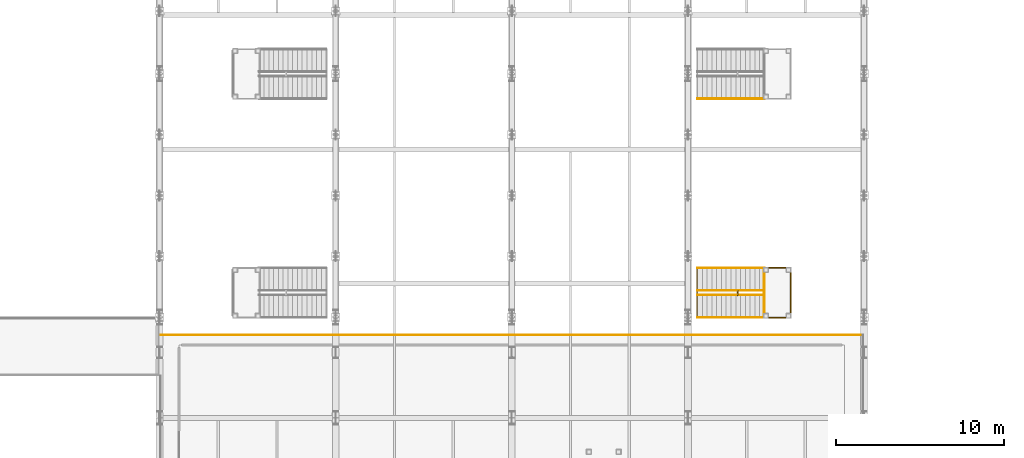
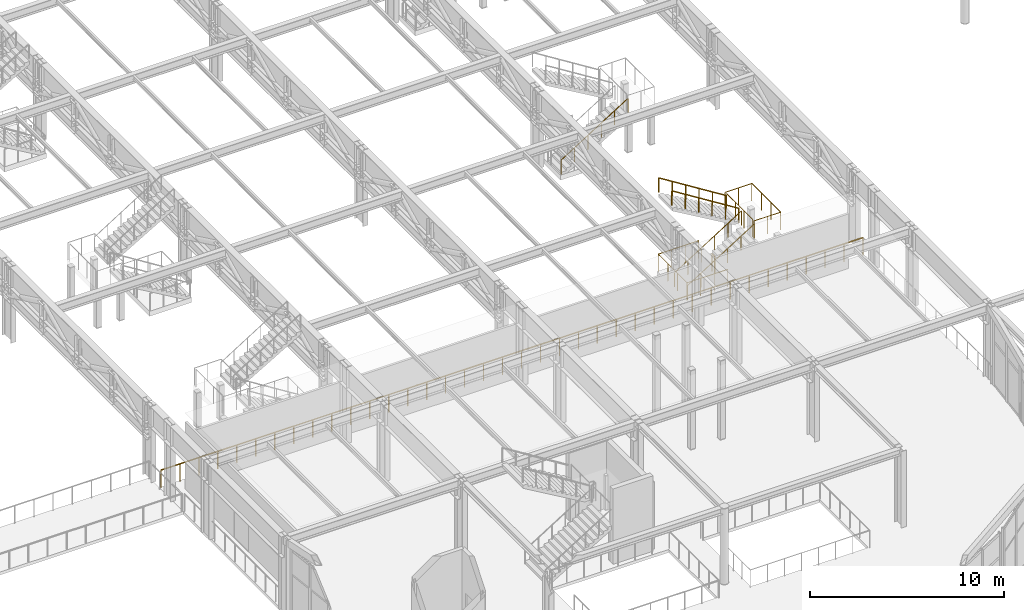
# One storey, part 123 of 143: 10 railings.
"""IFC4 building model written with IfcOpenShell, lengths in metres."""

from ifc_helpers import new_model, si_unit, direction, frame, origin, origin_2d, place, context, subcontext, project, spatial, circle, extrude, material, type_object, element, save


model = new_model("IFC4")

# Units and contexts
model_context = context("Model", 3, precision=1e-05, world=origin(), true_north=direction((0.0, 1.0)))
body_context = subcontext(model_context, "Body", "Model", "MODEL_VIEW")
ifc_project = project(units=[si_unit("LENGTHUNIT", "METRE"), si_unit("AREAUNIT", "SQUARE_METRE"), si_unit("VOLUMEUNIT", "CUBIC_METRE"), si_unit("PLANEANGLEUNIT", "RADIAN"), si_unit("MASSUNIT", "GRAM", prefix="KILO")], contexts=[model_context])

# Site, building, storey
site_placement = place(None, origin())
site = spatial("IfcSite", under=ifc_project, at=site_placement, CompositionType="ELEMENT")
building_placement = place(site_placement, origin())
building = spatial("IfcBuilding", under=site, at=building_placement, Name="Marlcrest Central Station", CompositionType="ELEMENT")
storey_placement = place(building_placement, frame((0.0, 0.0, 4.800048828125)))
storey = spatial("IfcBuildingStorey", under=building, at=storey_placement, Name="L01", CompositionType="ELEMENT", Elevation=4.800048828125)

# Railings
ifc_material_1 = material(Name="Stainless steel and laminated glass concourse balustrade", Category="steel")
railing_type_1 = type_object("IfcRailingType", Name="GR-02", PredefinedType="BALUSTRADE", material=ifc_material_1)
railing_1_placement = place(storey_placement, frame((121.4599609375, 36.4599609375, 0.0)))
element("IfcRailing", 1, at=railing_1_placement, inside=storey, type_object=railing_type_1, Name="hr-L01-00018", PredefinedType="BALUSTRADE", context=body_context, shape_type="SweptSolid", body=[
    extrude(circle(Radius=0.02392578125, at=origin_2d()), frame((0.0, 0.0, 1.09619140625), z_axis=(-1.0, 0.0, 0.0), x_axis=(0.0, -1.0, 0.0)), (0.0, 0.0, 1.0), 2.419921875),
    extrude(circle(Radius=0.02392578125, at=origin_2d()), frame((-2.419921875, 0.0, 1.09619140625), z_axis=(0.0, 1.0, 0.0), x_axis=(-1.0, 0.0, 0.0)), (0.0, 0.0, 1.0), 2.97998046875),
    extrude(circle(Radius=0.02392578125, at=origin_2d()), frame((-2.419921875, 2.97998046875, 1.09619140625), z_axis=(1.0, 0.0, 0.0), x_axis=(0.0, 1.0, 0.0)), (0.0, 0.0, 1.0), 2.419921875),
    extrude(circle(Radius=0.02099609375, at=origin_2d()), origin(), (0.0, 0.0, 1.0), 1.072021484375),
    extrude(circle(Radius=0.02099609375, at=origin_2d()), frame((-0.806640625, 0.0, 0.0)), (0.0, 0.0, 1.0), 1.072021484375),
    extrude(circle(Radius=0.02099609375, at=origin_2d()), frame((-1.61328125, 0.0, 0.0)), (0.0, 0.0, 1.0), 1.072021484375),
    extrude(circle(Radius=0.02099609375, at=origin_2d()), frame((-2.419921875, 0.0, 0.0)), (0.0, 0.0, 1.0), 1.072021484375),
    extrude(circle(Radius=0.02099609375, at=origin_2d()), frame((-2.419921875, 0.993408203125, 0.0)), (0.0, 0.0, 1.0), 1.072021484375),
    extrude(circle(Radius=0.02099609375, at=origin_2d()), frame((-2.419921875, 1.986572265625, 0.0)), (0.0, 0.0, 1.0), 1.072021484375),
    extrude(circle(Radius=0.02099609375, at=origin_2d()), frame((-2.419921875, 2.97998046875, 0.0)), (0.0, 0.0, 1.0), 1.072021484375),
    extrude(circle(Radius=0.02099609375, at=origin_2d()), frame((-1.61328125, 2.97998046875, 0.0)), (0.0, 0.0, 1.0), 1.072021484375),
    extrude(circle(Radius=0.02099609375, at=origin_2d()), frame((-0.806640625, 2.97998046875, 0.0)), (0.0, 0.0, 1.0), 1.072021484375),
    extrude(circle(Radius=0.02099609375, at=origin_2d()), frame((0.0, 2.97998046875, 0.0)), (0.0, 0.0, 1.0), 1.072021484375),
])
railing_2_placement = place(storey_placement, frame((121.4599609375, 37.81005859375, 0.0)))
element("IfcRailing", 2, at=railing_2_placement, inside=storey, type_object=railing_type_1, Name="hr-L01-00019", PredefinedType="BALUSTRADE", context=body_context, shape_type="SweptSolid", body=[
    extrude(circle(Radius=0.02392578125, at=origin_2d()), frame((0.0, 0.0, 1.09619140625), z_axis=(0.0, 1.0, 0.0), x_axis=(-1.0, 0.0, 0.0)), (0.0, 0.0, 1.0), 0.280029296875),
    extrude(circle(Radius=0.02099609375, at=origin_2d()), origin(), (0.0, 0.0, 1.0), 1.072021484375),
    extrude(circle(Radius=0.02099609375, at=origin_2d()), frame((0.0, 0.280029296875, 0.0)), (0.0, 0.0, 1.0), 1.072021484375),
])
railing_3_placement = place(storey_placement, frame((123.02001953125, 36.4599609375, 2.5)))
element("IfcRailing", 3, at=railing_3_placement, inside=storey, type_object=railing_type_1, Name="hr-L01-00033", PredefinedType="BALUSTRADE", context=body_context, shape_type="SweptSolid", body=[
    extrude(circle(Radius=0.02392578125, at=origin_2d()), frame((0.0, 0.0, 1.09619140625), z_axis=(1.0, 0.0, 0.0), x_axis=(0.0, 1.0, 0.0)), (0.0, 0.0, 1.0), 1.60009765625),
    extrude(circle(Radius=0.02392578125, at=origin_2d()), frame((1.60009765625, 0.0, 1.09619140625), z_axis=(0.0, 1.0, 0.0), x_axis=(-1.0, 0.0, 0.0)), (0.0, 0.0, 1.0), 2.97998046875),
    extrude(circle(Radius=0.02392578125, at=origin_2d()), frame((1.60009765625, 2.97998046875, 1.09619140625), z_axis=(-1.0, 0.0, 0.0), x_axis=(0.0, -1.0, 0.0)), (0.0, 0.0, 1.0), 1.60009765625),
    extrude(circle(Radius=0.02099609375, at=origin_2d()), origin(), (0.0, 0.0, 1.0), 1.072021484375),
    extrude(circle(Radius=0.02099609375, at=origin_2d()), frame((0.800048828125, 0.0, 0.0)), (0.0, 0.0, 1.0), 1.072021484375),
    extrude(circle(Radius=0.02099609375, at=origin_2d()), frame((1.60009765625, 0.0, 0.0)), (0.0, 0.0, 1.0), 1.072021484375),
    extrude(circle(Radius=0.02099609375, at=origin_2d()), frame((1.60009765625, 0.993408203125, 0.0)), (0.0, 0.0, 1.0), 1.072021484375),
    extrude(circle(Radius=0.02099609375, at=origin_2d()), frame((1.60009765625, 1.986572265625, 0.0)), (0.0, 0.0, 1.0), 1.072021484375),
    extrude(circle(Radius=0.02099609375, at=origin_2d()), frame((1.60009765625, 2.97998046875, 0.0)), (0.0, 0.0, 1.0), 1.072021484375),
    extrude(circle(Radius=0.02099609375, at=origin_2d()), frame((0.800048828125, 2.97998046875, 0.0)), (0.0, 0.0, 1.0), 1.072021484375),
    extrude(circle(Radius=0.02099609375, at=origin_2d()), frame((0.0, 2.97998046875, 0.0)), (0.0, 0.0, 1.0), 1.072021484375),
])
railing_4_placement = place(storey_placement, frame((87.080078125, 35.43994140625, 0.0)))
element("IfcRailing", 4, at=railing_4_placement, inside=storey, type_object=railing_type_1, Name="hr-L01-00421", PredefinedType="BALUSTRADE", context=body_context, shape_type="SweptSolid", body=[
    extrude(circle(Radius=0.02392578125, at=origin_2d()), frame((0.0, 0.0, 1.09619140625), z_axis=(1.0, 0.0, 0.0), x_axis=(0.0, 1.0, 0.0)), (0.0, 0.0, 1.0), 41.85986328125),
    extrude(circle(Radius=0.02099609375, at=origin_2d()), origin(), (0.0, 0.0, 1.0), 1.072021484375),
    extrude(circle(Radius=0.02099609375, at=origin_2d()), frame((1.13134765625, 0.0, 0.0)), (0.0, 0.0, 1.0), 1.072021484375),
    extrude(circle(Radius=0.02099609375, at=origin_2d()), frame((2.2626953125, 0.0, 0.0)), (0.0, 0.0, 1.0), 1.072021484375),
    extrude(circle(Radius=0.02099609375, at=origin_2d()), frame((3.39404296875, 0.0, 0.0)), (0.0, 0.0, 1.0), 1.072021484375),
    extrude(circle(Radius=0.02099609375, at=origin_2d()), frame((4.525390625, 0.0, 0.0)), (0.0, 0.0, 1.0), 1.072021484375),
    extrude(circle(Radius=0.02099609375, at=origin_2d()), frame((5.65673828125, 0.0, 0.0)), (0.0, 0.0, 1.0), 1.072021484375),
    extrude(circle(Radius=0.02099609375, at=origin_2d()), frame((6.7880859375, 0.0, 0.0)), (0.0, 0.0, 1.0), 1.072021484375),
    extrude(circle(Radius=0.02099609375, at=origin_2d()), frame((7.91943359375, 0.0, 0.0)), (0.0, 0.0, 1.0), 1.072021484375),
    extrude(circle(Radius=0.02099609375, at=origin_2d()), frame((9.05078125, 0.0, 0.0)), (0.0, 0.0, 1.0), 1.072021484375),
    extrude(circle(Radius=0.02099609375, at=origin_2d()), frame((10.18212890625, 0.0, 0.0)), (0.0, 0.0, 1.0), 1.072021484375),
    extrude(circle(Radius=0.02099609375, at=origin_2d()), frame((11.3134765625, 0.0, 0.0)), (0.0, 0.0, 1.0), 1.072021484375),
    extrude(circle(Radius=0.02099609375, at=origin_2d()), frame((12.44482421875, 0.0, 0.0)), (0.0, 0.0, 1.0), 1.072021484375),
    extrude(circle(Radius=0.02099609375, at=origin_2d()), frame((13.576171875, 0.0, 0.0)), (0.0, 0.0, 1.0), 1.072021484375),
    extrude(circle(Radius=0.02099609375, at=origin_2d()), frame((14.70751953125, 0.0, 0.0)), (0.0, 0.0, 1.0), 1.072021484375),
    extrude(circle(Radius=0.02099609375, at=origin_2d()), frame((15.8388671875, 0.0, 0.0)), (0.0, 0.0, 1.0), 1.072021484375),
    extrude(circle(Radius=0.02099609375, at=origin_2d()), frame((16.97021484375, 0.0, 0.0)), (0.0, 0.0, 1.0), 1.072021484375),
    extrude(circle(Radius=0.02099609375, at=origin_2d()), frame((18.1015625, 0.0, 0.0)), (0.0, 0.0, 1.0), 1.072021484375),
    extrude(circle(Radius=0.02099609375, at=origin_2d()), frame((19.23291015625, 0.0, 0.0)), (0.0, 0.0, 1.0), 1.072021484375),
    extrude(circle(Radius=0.02099609375, at=origin_2d()), frame((20.3642578125, 0.0, 0.0)), (0.0, 0.0, 1.0), 1.072021484375),
    extrude(circle(Radius=0.02099609375, at=origin_2d()), frame((21.49560546875, 0.0, 0.0)), (0.0, 0.0, 1.0), 1.072021484375),
    extrude(circle(Radius=0.02099609375, at=origin_2d()), frame((22.626953125, 0.0, 0.0)), (0.0, 0.0, 1.0), 1.072021484375),
    extrude(circle(Radius=0.02099609375, at=origin_2d()), frame((23.75830078125, 0.0, 0.0)), (0.0, 0.0, 1.0), 1.072021484375),
    extrude(circle(Radius=0.02099609375, at=origin_2d()), frame((24.8896484375, 0.0, 0.0)), (0.0, 0.0, 1.0), 1.072021484375),
    extrude(circle(Radius=0.02099609375, at=origin_2d()), frame((26.02099609375, 0.0, 0.0)), (0.0, 0.0, 1.0), 1.072021484375),
    extrude(circle(Radius=0.02099609375, at=origin_2d()), frame((27.15234375, 0.0, 0.0)), (0.0, 0.0, 1.0), 1.072021484375),
    extrude(circle(Radius=0.02099609375, at=origin_2d()), frame((28.28369140625, 0.0, 0.0)), (0.0, 0.0, 1.0), 1.072021484375),
    extrude(circle(Radius=0.02099609375, at=origin_2d()), frame((29.4150390625, 0.0, 0.0)), (0.0, 0.0, 1.0), 1.072021484375),
    extrude(circle(Radius=0.02099609375, at=origin_2d()), frame((30.54638671875, 0.0, 0.0)), (0.0, 0.0, 1.0), 1.072021484375),
    extrude(circle(Radius=0.02099609375, at=origin_2d()), frame((31.677734375, 0.0, 0.0)), (0.0, 0.0, 1.0), 1.072021484375),
    extrude(circle(Radius=0.02099609375, at=origin_2d()), frame((32.80908203125, 0.0, 0.0)), (0.0, 0.0, 1.0), 1.072021484375),
    extrude(circle(Radius=0.02099609375, at=origin_2d()), frame((33.9404296875, 0.0, 0.0)), (0.0, 0.0, 1.0), 1.072021484375),
    extrude(circle(Radius=0.02099609375, at=origin_2d()), frame((35.07177734375, 0.0, 0.0)), (0.0, 0.0, 1.0), 1.072021484375),
    extrude(circle(Radius=0.02099609375, at=origin_2d()), frame((36.203125, 0.0, 0.0)), (0.0, 0.0, 1.0), 1.072021484375),
    extrude(circle(Radius=0.02099609375, at=origin_2d()), frame((37.33447265625, 0.0, 0.0)), (0.0, 0.0, 1.0), 1.072021484375),
    extrude(circle(Radius=0.02099609375, at=origin_2d()), frame((38.4658203125, 0.0, 0.0)), (0.0, 0.0, 1.0), 1.072021484375),
    extrude(circle(Radius=0.02099609375, at=origin_2d()), frame((39.59716796875, 0.0, 0.0)), (0.0, 0.0, 1.0), 1.072021484375),
    extrude(circle(Radius=0.02099609375, at=origin_2d()), frame((40.728515625, 0.0, 0.0)), (0.0, 0.0, 1.0), 1.072021484375),
    extrude(circle(Radius=0.02099609375, at=origin_2d()), frame((41.85986328125, 0.0, 0.0)), (0.0, 0.0, 1.0), 1.072021484375),
])
railing_5_placement = place(storey_placement, frame((123.0400390625, 36.60009765625, 2.5)))
element("IfcRailing", 5, at=railing_5_placement, inside=storey, type_object=railing_type_1, Name="hr-L01-00572", PredefinedType="BALUSTRADE", context=body_context, shape_type="SweptSolid", body=[
    extrude(circle(Radius=0.02392578125, at=origin_2d()), frame((0.0, 0.0, 1.09619140625), z_axis=(0.0, 1.0, 0.0), x_axis=(-1.0, 0.0, 0.0)), (0.0, 0.0, 1.0), 2.699951171875),
    extrude(circle(Radius=0.02099609375, at=origin_2d()), origin(), (0.0, 0.0, 1.0), 1.072021484375),
    extrude(circle(Radius=0.02099609375, at=origin_2d()), frame((0.0, 0.89990234375, 0.0)), (0.0, 0.0, 1.0), 1.072021484375),
    extrude(circle(Radius=0.02099609375, at=origin_2d()), frame((0.0, 1.800048828125, 0.0)), (0.0, 0.0, 1.0), 1.072021484375),
    extrude(circle(Radius=0.02099609375, at=origin_2d()), frame((0.0, 2.699951171875, 0.0)), (0.0, 0.0, 1.0), 1.072021484375),
])
ifc_material_2 = material(Name="Brushed stainless steel handrail", Category="steel")
railing_type_2 = type_object("IfcRailingType", Name="HR-01", PredefinedType="HANDRAIL", material=ifc_material_2)
railing_6_placement = place(storey_placement, frame((119.070068359375, 36.47509765625, 0.0)))
element("IfcRailing", 6, at=railing_6_placement, inside=storey, type_object=railing_type_2, Name="hr-L01-00029", PredefinedType="HANDRAIL", context=body_context, shape_type="SweptSolid", body=[
    extrude(circle(Radius=0.02392578125, at=origin_2d()), frame((0.0, 0.0, 0.89599609375), z_axis=(0.847400605549, 0.0, 0.530954059892), x_axis=(0.0, 1.0, 0.0)), (0.0, 0.0, 1.0), 4.70849609375),
    extrude(circle(Radius=0.02099609375, at=origin_2d()), origin(), (0.0, 0.0, 1.0), 0.871826171875),
    extrude(circle(Radius=0.02099609375, at=origin_2d()), frame((0.798095703125, 0.0, 0.5)), (0.0, 0.0, 1.0), 0.871826171875),
    extrude(circle(Radius=0.02099609375, at=origin_2d()), frame((1.595947265625, 0.0, 1.0)), (0.0, 0.0, 1.0), 0.871826171875),
    extrude(circle(Radius=0.02099609375, at=origin_2d()), frame((2.39404296875, 0.0, 1.5)), (0.0, 0.0, 1.0), 0.871826171875),
    extrude(circle(Radius=0.02099609375, at=origin_2d()), frame((3.19189453125, 0.0, 2.0)), (0.0, 0.0, 1.0), 0.871826171875),
    extrude(circle(Radius=0.02099609375, at=origin_2d()), frame((3.989990234375, 0.0, 2.5)), (0.0, 0.0, 1.0), 0.871826171875),
])
railing_7_placement = place(storey_placement, frame((123.06005859375, 38.0849609375, 2.5)))
element("IfcRailing", 7, at=railing_7_placement, inside=storey, type_object=railing_type_2, Name="hr-L01-00030", PredefinedType="HANDRAIL", context=body_context, shape_type="SweptSolid", body=[
    extrude(circle(Radius=0.02392578125, at=origin_2d()), frame((0.0, 0.0, 0.89599609375), z_axis=(-0.847400605549, 0.0, 0.530954059892), x_axis=(0.0, -1.0, 0.0)), (0.0, 0.0, 1.0), 4.70849609375),
    extrude(circle(Radius=0.02099609375, at=origin_2d()), origin(), (0.0, 0.0, 1.0), 0.871826171875),
    extrude(circle(Radius=0.02099609375, at=origin_2d()), frame((-0.798095703125, 0.0, 0.5)), (0.0, 0.0, 1.0), 0.871826171875),
    extrude(circle(Radius=0.02099609375, at=origin_2d()), frame((-1.595947265625, 0.0, 1.0)), (0.0, 0.0, 1.0), 0.871826171875),
    extrude(circle(Radius=0.02099609375, at=origin_2d()), frame((-2.39404296875, 0.0, 1.5)), (0.0, 0.0, 1.0), 0.871826171875),
    extrude(circle(Radius=0.02099609375, at=origin_2d()), frame((-3.19189453125, 0.0, 2.0)), (0.0, 0.0, 1.0), 0.871826171875),
    extrude(circle(Radius=0.02099609375, at=origin_2d()), frame((-3.989990234375, 0.0, 2.5)), (0.0, 0.0, 1.0), 0.871826171875),
])
railing_8_placement = place(storey_placement, frame((119.070068359375, 37.81494140625, 0.0)))
element("IfcRailing", 8, at=railing_8_placement, inside=storey, type_object=railing_type_2, Name="hr-L01-00031", PredefinedType="HANDRAIL", context=body_context, shape_type="SweptSolid", body=[
    extrude(circle(Radius=0.02392578125, at=origin_2d()), frame((0.0, 0.0, 0.89599609375), z_axis=(0.847400605549, 0.0, 0.530954059892), x_axis=(0.0, 1.0, 0.0)), (0.0, 0.0, 1.0), 4.70849609375),
    extrude(circle(Radius=0.02099609375, at=origin_2d()), origin(), (0.0, 0.0, 1.0), 0.871826171875),
    extrude(circle(Radius=0.02099609375, at=origin_2d()), frame((0.798095703125, 0.0, 0.5)), (0.0, 0.0, 1.0), 0.871826171875),
    extrude(circle(Radius=0.02099609375, at=origin_2d()), frame((1.595947265625, 0.0, 1.0)), (0.0, 0.0, 1.0), 0.871826171875),
    extrude(circle(Radius=0.02099609375, at=origin_2d()), frame((2.39404296875, 0.0, 1.5)), (0.0, 0.0, 1.0), 0.871826171875),
    extrude(circle(Radius=0.02099609375, at=origin_2d()), frame((3.19189453125, 0.0, 2.0)), (0.0, 0.0, 1.0), 0.871826171875),
    extrude(circle(Radius=0.02099609375, at=origin_2d()), frame((3.989990234375, 0.0, 2.5)), (0.0, 0.0, 1.0), 0.871826171875),
])
railing_9_placement = place(storey_placement, frame((123.06005859375, 39.425048828125, 2.5)))
element("IfcRailing", 9, at=railing_9_placement, inside=storey, type_object=railing_type_2, Name="hr-L01-00032", PredefinedType="HANDRAIL", context=body_context, shape_type="SweptSolid", body=[
    extrude(circle(Radius=0.02392578125, at=origin_2d()), frame((0.0, 0.0, 0.89599609375), z_axis=(-0.847400605549, 0.0, 0.530954059892), x_axis=(0.0, -1.0, 0.0)), (0.0, 0.0, 1.0), 4.70849609375),
    extrude(circle(Radius=0.02099609375, at=origin_2d()), origin(), (0.0, 0.0, 1.0), 0.871826171875),
    extrude(circle(Radius=0.02099609375, at=origin_2d()), frame((-0.798095703125, 0.0, 0.5)), (0.0, 0.0, 1.0), 0.871826171875),
    extrude(circle(Radius=0.02099609375, at=origin_2d()), frame((-1.595947265625, 0.0, 1.0)), (0.0, 0.0, 1.0), 0.871826171875),
    extrude(circle(Radius=0.02099609375, at=origin_2d()), frame((-2.39404296875, 0.0, 1.5)), (0.0, 0.0, 1.0), 0.871826171875),
    extrude(circle(Radius=0.02099609375, at=origin_2d()), frame((-3.19189453125, 0.0, 2.0)), (0.0, 0.0, 1.0), 0.871826171875),
    extrude(circle(Radius=0.02099609375, at=origin_2d()), frame((-3.989990234375, 0.0, 2.5)), (0.0, 0.0, 1.0), 0.871826171875),
])
railing_10_placement = place(storey_placement, frame((119.070068359375, 49.52490234375, 0.0)))
element("IfcRailing", 10, at=railing_10_placement, inside=storey, type_object=railing_type_2, Name="hr-L01-00063", PredefinedType="HANDRAIL", context=body_context, shape_type="SweptSolid", body=[
    extrude(circle(Radius=0.02392578125, at=origin_2d()), frame((0.0, 0.0, 0.89599609375), z_axis=(0.847400605549, 0.0, 0.530954059892), x_axis=(0.0, 1.0, 0.0)), (0.0, 0.0, 1.0), 4.70849609375),
    extrude(circle(Radius=0.02099609375, at=origin_2d()), origin(), (0.0, 0.0, 1.0), 0.871826171875),
    extrude(circle(Radius=0.02099609375, at=origin_2d()), frame((0.798095703125, 0.0, 0.5)), (0.0, 0.0, 1.0), 0.871826171875),
    extrude(circle(Radius=0.02099609375, at=origin_2d()), frame((1.595947265625, 0.0, 1.0)), (0.0, 0.0, 1.0), 0.871826171875),
    extrude(circle(Radius=0.02099609375, at=origin_2d()), frame((2.39404296875, 0.0, 1.5)), (0.0, 0.0, 1.0), 0.871826171875),
    extrude(circle(Radius=0.02099609375, at=origin_2d()), frame((3.19189453125, 0.0, 2.0)), (0.0, 0.0, 1.0), 0.871826171875),
    extrude(circle(Radius=0.02099609375, at=origin_2d()), frame((3.989990234375, 0.0, 2.5)), (0.0, 0.0, 1.0), 0.871826171875),
])

save(model, "model.ifc")
